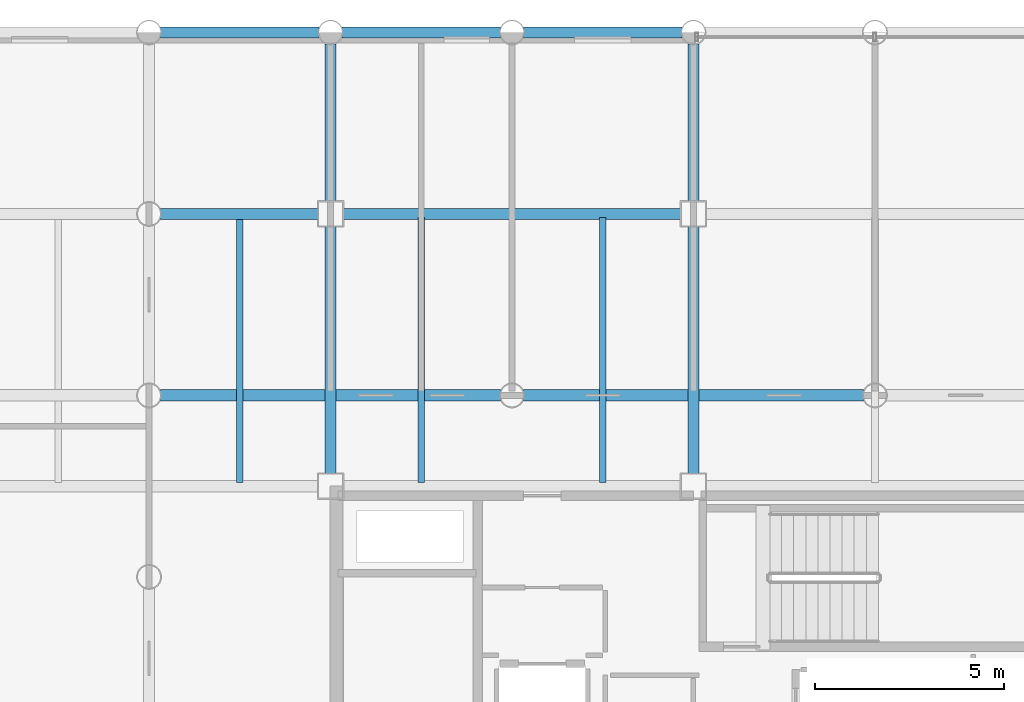
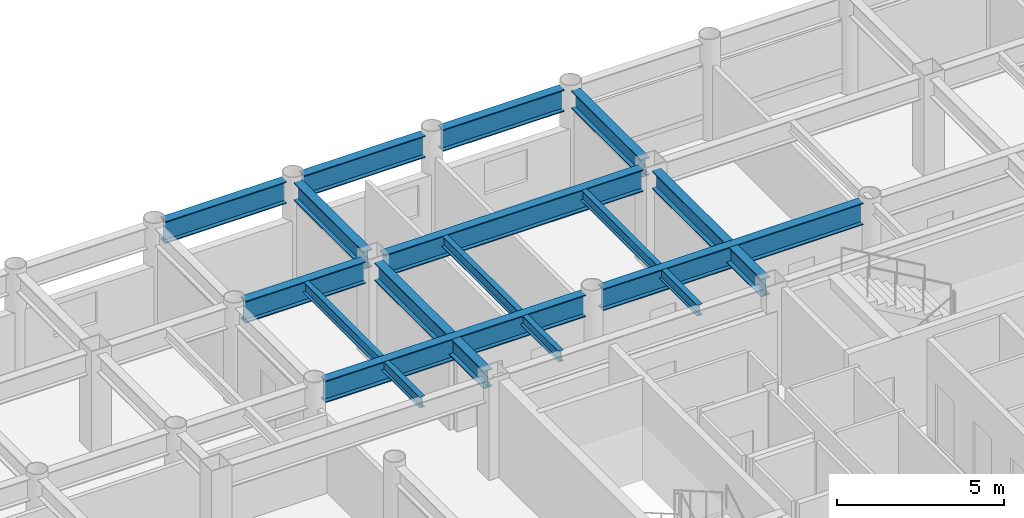
# One storey, part 10 of 20: 14 beams.
"""IFC4 building model written with IfcOpenShell, lengths in metres."""

from ifc_helpers import new_model, si_unit, direction, frame, origin, origin_2d, place, context, subcontext, project, spatial, i_section, extrude, material, material_profile, profile_set, type_object, element, save


model = new_model("IFC4")

# Units and contexts
model_context = context("Model", 3, precision=1e-05, world=origin(), true_north=direction((0.0, 1.0)))
body_context = subcontext(model_context, "Body", "Model", "MODEL_VIEW")
ifc_project = project(units=[si_unit("LENGTHUNIT", "METRE"), si_unit("AREAUNIT", "SQUARE_METRE"), si_unit("VOLUMEUNIT", "CUBIC_METRE"), si_unit("PLANEANGLEUNIT", "RADIAN"), si_unit("MASSUNIT", "GRAM", prefix="KILO")], contexts=[model_context])

# Site, building, storey
site_placement = place(None, origin())
site = spatial("IfcSite", under=ifc_project, at=site_placement, CompositionType="ELEMENT")
building_placement = place(site_placement, origin())
building = spatial("IfcBuilding", under=site, at=building_placement, Name="Kallvorn Hotel Tower", CompositionType="ELEMENT")
storey_placement = place(building_placement, frame((0.0, 0.0, 172.89990234375)))
storey = spatial("IfcBuildingStorey", under=building, at=storey_placement, Name="L43", CompositionType="ELEMENT", Elevation=172.89990234375)

# Beams
ifc_material_1 = material(Name="Structural steel S355JR", Category="steel")
ifc_material_profile_1 = material_profile(ifc_material_1, i_section(OverallWidth=0.300048828125, OverallDepth=0.64990234375, WebThickness=0.01611328125, FlangeThickness=0.031005859375, at=origin_2d()), Name="HE 650 B")
ifc_profile_set_1 = profile_set([ifc_material_profile_1], Name="Structural steel S355JR")
beam_type_1 = type_object("IfcBeamType", Name="BM_HE650B", PredefinedType="BEAM", material=ifc_profile_set_1)
beam_1_placement = place(storey_placement, frame((-14.39990234375, 7.52490234375, 3.195068359375), z_axis=(0.0, 1.0, 0.0), x_axis=(-1.0, 0.0, 0.0)))
element("IfcBeam", 1, at=beam_1_placement, inside=storey, type_object=beam_type_1, Name="L44 Primary Y-Girder 101", PredefinedType="BEAM", context=body_context, shape_type="SweptSolid", body=[
    extrude(i_section(OverallWidth=0.300048828125, OverallDepth=0.64990234375, WebThickness=0.01611328125, FlangeThickness=0.031005859375, at=origin_2d()), origin(), (0.0, 0.0, 1.0), 6.550048828125),
])
beam_2_placement = place(storey_placement, frame((-14.39990234375, 14.72509765625, 3.195068359375), z_axis=(0.0, 1.0, 0.0), x_axis=(-1.0, 0.0, 0.0)))
element("IfcBeam", 2, at=beam_2_placement, inside=storey, type_object=beam_type_1, Name="L44 Primary Y-Girder 102", PredefinedType="BEAM", context=body_context, shape_type="SweptSolid", body=[
    extrude(i_section(OverallWidth=0.300048828125, OverallDepth=0.64990234375, WebThickness=0.01611328125, FlangeThickness=0.031005859375, at=origin_2d()), origin(), (0.0, 0.0, 1.0), 4.169921875),
])
beam_3_placement = place(storey_placement, frame((-4.800048828125, 7.52490234375, 3.195068359375), z_axis=(0.0, 1.0, 0.0), x_axis=(-1.0, 0.0, 0.0)))
element("IfcBeam", 3, at=beam_3_placement, inside=storey, type_object=beam_type_1, Name="L44 Primary Y-Girder 109", PredefinedType="BEAM", context=body_context, shape_type="SweptSolid", body=[
    extrude(i_section(OverallWidth=0.300048828125, OverallDepth=0.64990234375, WebThickness=0.01611328125, FlangeThickness=0.031005859375, at=origin_2d()), origin(), (0.0, 0.0, 1.0), 6.550048828125),
])
beam_4_placement = place(storey_placement, frame((-4.800048828125, 14.72509765625, 3.195068359375), z_axis=(0.0, 1.0, 0.0), x_axis=(-1.0, 0.0, 0.0)))
element("IfcBeam", 4, at=beam_4_placement, inside=storey, type_object=beam_type_1, Name="L44 Primary Y-Girder 110", PredefinedType="BEAM", context=body_context, shape_type="SweptSolid", body=[
    extrude(i_section(OverallWidth=0.300048828125, OverallDepth=0.64990234375, WebThickness=0.01611328125, FlangeThickness=0.031005859375, at=origin_2d()), origin(), (0.0, 0.0, 1.0), 4.169921875),
])
ifc_material_2 = material(Name="Structural steel S355JR", Category="steel")
ifc_material_profile_2 = material_profile(ifc_material_2, i_section(OverallWidth=0.300048828125, OverallDepth=0.800048828125, WebThickness=0.017578125, FlangeThickness=0.032958984375, at=origin_2d()), Name="HE 800 B")
ifc_profile_set_2 = profile_set([ifc_material_profile_2], Name="Structural steel S355JR")
beam_type_2 = type_object("IfcBeamType", Name="BM_HE800B", PredefinedType="BEAM", material=ifc_profile_set_2)
for number, where, z_axis, x_axis, name in (
    (5, (-18.89501953125, 9.60009765625, 3.1201171875), (1.0, 0.0, 0.0), (0.0, 1.0, 0.0), "L44 Primary X-Girder 45"),
    (6, (-9.294921875, 9.60009765625, 3.1201171875), (1.0, 0.0, 0.0), (0.0, 1.0, 0.0), "L44 Primary X-Girder 46"),
):
    element("IfcBeam", number, at=place(storey_placement, frame(where, z_axis=z_axis, x_axis=x_axis)), inside=storey, type_object=beam_type_2, Name=name, PredefinedType="BEAM", context=body_context, shape_type="SweptSolid", body=[
        extrude(i_section(OverallWidth=0.300048828125, OverallDepth=0.800048828125, WebThickness=0.017578125, FlangeThickness=0.032958984375, at=origin_2d()), origin(), (0.0, 0.0, 1.0), 8.989990234375),
    ])
beam_5_placement = place(storey_placement, frame((-18.89501953125, 14.39990234375, 3.1201171875), z_axis=(1.0, 0.0, 0.0), x_axis=(0.0, 1.0, 0.0)))
element("IfcBeam", 7, at=beam_5_placement, inside=storey, type_object=beam_type_2, Name="L44 Primary X-Girder 54", PredefinedType="BEAM", context=body_context, shape_type="SweptSolid", body=[
    extrude(i_section(OverallWidth=0.300048828125, OverallDepth=0.800048828125, WebThickness=0.017578125, FlangeThickness=0.032958984375, at=origin_2d()), origin(), (0.0, 0.0, 1.0), 4.169921875),
])
beam_6_placement = place(storey_placement, frame((-14.074951171875, 14.39990234375, 3.1201171875), z_axis=(1.0, 0.0, 0.0), x_axis=(0.0, 1.0, 0.0)))
element("IfcBeam", 8, at=beam_6_placement, inside=storey, type_object=beam_type_2, Name="L44 Primary X-Girder 55", PredefinedType="BEAM", context=body_context, shape_type="SweptSolid", body=[
    extrude(i_section(OverallWidth=0.300048828125, OverallDepth=0.800048828125, WebThickness=0.017578125, FlangeThickness=0.032958984375, at=origin_2d()), origin(), (0.0, 0.0, 1.0), 8.949951171875),
])
for number, where, z_axis, x_axis, name in (
    (9, (-18.89501953125, 19.199951171875, 3.1201171875), (1.0, 0.0, 0.0), (0.0, 1.0, 0.0), "L44 Primary X-Girder 63"),
    (10, (-14.094970703125, 19.199951171875, 3.1201171875), (1.0, 0.0, 0.0), (0.0, 1.0, 0.0), "L44 Primary X-Girder 64"),
    (11, (-9.294921875, 19.199951171875, 3.1201171875), (1.0, 0.0, 0.0), (0.0, 1.0, 0.0), "L44 Primary X-Girder 65"),
):
    element("IfcBeam", number, at=place(storey_placement, frame(where, z_axis=z_axis, x_axis=x_axis)), inside=storey, type_object=beam_type_2, Name=name, PredefinedType="BEAM", context=body_context, shape_type="SweptSolid", body=[
        extrude(i_section(OverallWidth=0.300048828125, OverallDepth=0.800048828125, WebThickness=0.017578125, FlangeThickness=0.032958984375, at=origin_2d()), origin(), (0.0, 0.0, 1.0), 4.18994140625),
    ])
ifc_material_3 = material(Name="Structural steel S355JR", Category="steel")
ifc_material_profile_3 = material_profile(ifc_material_3, i_section(OverallWidth=0.179931640625, OverallDepth=0.39990234375, WebThickness=0.008544921875, FlangeThickness=0.013427734375, at=origin_2d()), Name="IPE 400")
ifc_profile_set_3 = profile_set([ifc_material_profile_3], Name="Structural steel S355JR")
beam_type_3 = type_object("IfcBeamType", Name="BM_IPE400", PredefinedType="JOIST", material=ifc_profile_set_3)
for number, where, z_axis, x_axis, name in (
    (12, (-16.800048828125, 7.300048828125, 3.320068359375), (0.0, 1.0, 0.0), (-1.0, 0.0, 0.0), "L44 Secondary Composite Joist 195"),
    (13, (-12.0, 7.300048828125, 3.320068359375), (0.0, 1.0, 0.0), (-1.0, 0.0, 0.0), "L44 Secondary Composite Joist 197"),
    (14, (-7.199951171875, 7.300048828125, 3.320068359375), (0.0, 1.0, 0.0), (-1.0, 0.0, 0.0), "L44 Secondary Composite Joist 199"),
):
    element("IfcBeam", number, at=place(storey_placement, frame(where, z_axis=z_axis, x_axis=x_axis)), inside=storey, type_object=beam_type_3, Name=name, PredefinedType="JOIST", context=body_context, shape_type="SweptSolid", body=[
        extrude(i_section(OverallWidth=0.179931640625, OverallDepth=0.39990234375, WebThickness=0.008544921875, FlangeThickness=0.013427734375, at=origin_2d()), origin(), (0.0, 0.0, 1.0), 7.0),
    ])

save(model, "model.ifc")
